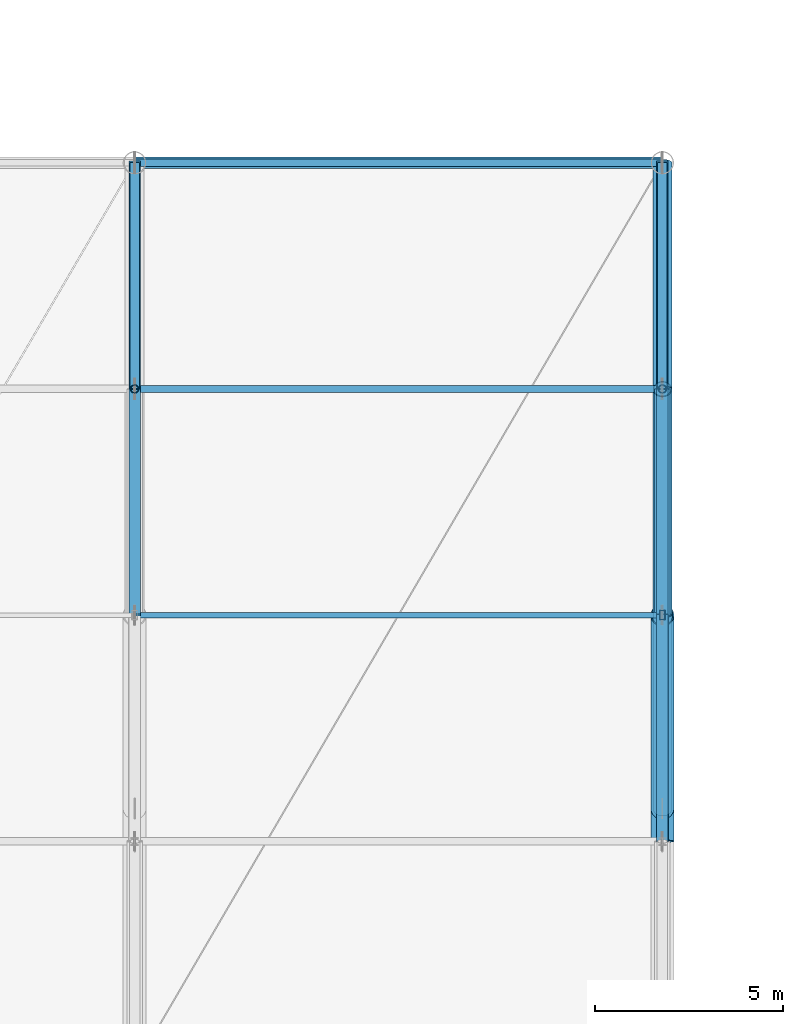
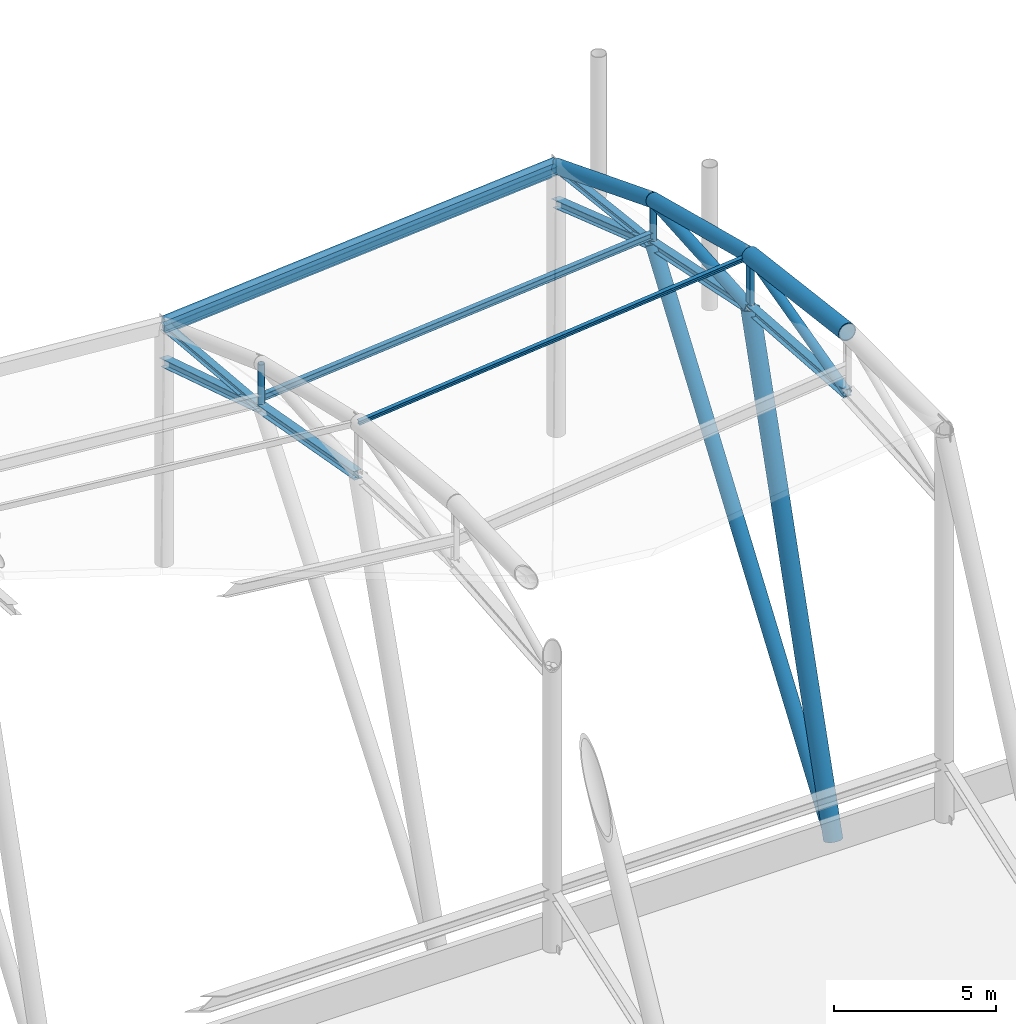
# One storey, part 24 of 90: 20 members, 1 beam.
"""IFC4 building model written with IfcOpenShell, lengths in metres."""

from ifc_helpers import new_model, si_unit, direction, frame, origin, origin_2d, place, context, subcontext, project, spatial, hollow_rectangle, hollow_circle, i_section, extrude, material, material_profile, profile_set, type_object, element, save


model = new_model("IFC4")

# Units and contexts
model_context = context("Model", 3, precision=1e-05, world=origin(), true_north=direction((0.0, 1.0)))
body_context = subcontext(model_context, "Body", "Model", "MODEL_VIEW")
ifc_project = project(units=[si_unit("LENGTHUNIT", "METRE"), si_unit("AREAUNIT", "SQUARE_METRE"), si_unit("VOLUMEUNIT", "CUBIC_METRE"), si_unit("PLANEANGLEUNIT", "RADIAN"), si_unit("MASSUNIT", "GRAM", prefix="KILO")], contexts=[model_context])

# Site, building, storey
site_placement = place(None, origin())
site = spatial("IfcSite", under=ifc_project, at=site_placement, CompositionType="ELEMENT")
building_placement = place(site_placement, origin())
building = spatial("IfcBuilding", under=site, at=building_placement, Name="Linyun Crest Stadium", CompositionType="ELEMENT")
storey_placement = place(building_placement, frame((0.0, 0.0, 21.0)))
storey = spatial("IfcBuildingStorey", under=building, at=storey_placement, Name="L05", CompositionType="ELEMENT", Elevation=21.0)

# Member
ifc_material_1 = material(Name="Steel Q355C", Category="steel")
ifc_material_profile_1 = material_profile(ifc_material_1, i_section(OverallWidth=0.14990234375, OverallDepth=0.14990234375, WebThickness=0.007080078125, FlangeThickness=0.010009765625, at=origin_2d()), Name="HW 150x150")
ifc_profile_set_1 = profile_set([ifc_material_profile_1], Name="Steel Q355C")
member_type_1 = type_object("IfcMemberType", Name="AR01", PredefinedType="USERDEFINED", material=ifc_profile_set_1)
member_1_placement = place(storey_placement, frame((14.0, -61.5, 12.549072265625), z_axis=(0.995024124811, 0.0, 0.099634286493), x_axis=(0.0, 1.0, 0.0)))
element("IfcMember", 1, at=member_1_placement, inside=storey, type_object=member_type_1, Name="Art Nouveau canopy arch rib AR01 V4 582", ObjectType="ARCH RIB", PredefinedType="USERDEFINED", context=body_context, shape_type="SweptSolid", body=[
    extrude(i_section(OverallWidth=0.14990234375, OverallDepth=0.14990234375, WebThickness=0.007080078125, FlangeThickness=0.010009765625, at=origin_2d()), origin(), (0.0, 0.0, 1.0), 14.070068359375),
])

# Beam
ifc_material_2 = material(Name="Steel Q420C", Category="steel")
ifc_material_profile_2 = material_profile(ifc_material_2, hollow_rectangle(XDim=0.300048828125, YDim=0.5, WallThickness=0.02001953125, at=origin_2d()), Name="RHS 500x300x20")
ifc_profile_set_2 = profile_set([ifc_material_profile_2], Name="Steel Q420C")
beam_type = type_object("IfcBeamType", Name="HB03", PredefinedType="USERDEFINED", material=ifc_profile_set_2)
beam_placement = place(storey_placement, frame((14.0, -49.5, 8.947998046875), z_axis=(0.996905179889, 0.0, 0.07861337234), x_axis=(0.0, 1.0, 0.0)))
element("IfcBeam", 2, at=beam_placement, inside=storey, type_object=beam_type, Name="Roof Inner tension ring beam HB03 V4 43", ObjectType="RING BEAM", PredefinedType="USERDEFINED", context=body_context, shape_type="SweptSolid", body=[
    extrude(hollow_rectangle(XDim=0.300048828125, YDim=0.5, WallThickness=0.02001953125, at=origin_2d()), origin(), (0.0, 0.0, 1.0), 14.04345703125),
])

# Members
ifc_material_3 = material(Name="Steel Q355B", Category="steel")
ifc_material_profile_3 = material_profile(ifc_material_3, i_section(OverallWidth=0.175048828125, OverallDepth=0.243896484375, WebThickness=0.007080078125, FlangeThickness=0.010986328125, at=origin_2d()), Name="HM 244x175")
ifc_profile_set_3 = profile_set([ifc_material_profile_3], Name="Steel Q355B")
member_type_2 = type_object("IfcMemberType", Name="PR05", PredefinedType="PURLIN", material=ifc_profile_set_3)
member_2_placement = place(storey_placement, frame((14.0, -55.5, 9.866943359375), z_axis=(0.996025387251, 0.0, 0.089069792582), x_axis=(0.0, 1.0, 0.0)))
element("IfcMember", 3, at=member_2_placement, inside=storey, type_object=member_type_2, Name="Roof canopy purlin PR05 V4 580", PredefinedType="PURLIN", context=body_context, shape_type="SweptSolid", body=[
    extrude(i_section(OverallWidth=0.175048828125, OverallDepth=0.243896484375, WebThickness=0.007080078125, FlangeThickness=0.010986328125, at=origin_2d()), origin(), (0.0, 0.0, 1.0), 14.055908203125),
])
ifc_material_4 = material(Name="Steel Q355B", Category="steel")
ifc_material_profile_4 = material_profile(ifc_material_4, i_section(OverallWidth=0.199951171875, OverallDepth=0.2939453125, WebThickness=0.008056640625, FlangeThickness=0.011962890625, at=origin_2d()), Name="HM 294x200")
ifc_profile_set_4 = profile_set([ifc_material_profile_4], Name="Steel Q355B")
member_type_3 = type_object("IfcMemberType", Name="PR06", PredefinedType="PURLIN", material=ifc_profile_set_4)
member_3_placement = place(storey_placement, frame((14.0, -49.5, 8.841064453125), z_axis=(0.996905179889, 0.0, 0.07861337234), x_axis=(0.0, 1.0, 0.0)))
element("IfcMember", 4, at=member_3_placement, inside=storey, type_object=member_type_3, Name="Roof canopy purlin PR06 V4 581", PredefinedType="PURLIN", context=body_context, shape_type="SweptSolid", body=[
    extrude(i_section(OverallWidth=0.199951171875, OverallDepth=0.2939453125, WebThickness=0.008056640625, FlangeThickness=0.011962890625, at=origin_2d()), origin(), (0.0, 0.0, 1.0), 14.04345703125),
])
ifc_material_5 = material(Name="Steel Q420C", Category="steel")
ifc_material_profile_5 = material_profile(ifc_material_5, hollow_circle(Radius=0.25390625, WallThickness=0.02490234375, at=origin_2d()), Name="CHS 508x25")
ifc_profile_set_5 = profile_set([ifc_material_profile_5], Name="Steel Q420C")
member_type_4 = type_object("IfcMemberType", Name="TC01", PredefinedType="CHORD", material=ifc_profile_set_5)
member_4_placement = place(storey_placement, frame((28.0, -61.5, 13.950927734375), z_axis=(0.0, 0.968260101337, -0.249944746211), x_axis=(-1.0, 0.0, 0.0)))
element("IfcMember", 5, at=member_4_placement, inside=storey, type_object=member_type_4, Name="Roof truss top chord TC01 V4 557", PredefinedType="CHORD", context=body_context, shape_type="SweptSolid", body=[
    extrude(hollow_circle(Radius=0.25390625, WallThickness=0.02490234375, at=origin_2d()), origin(), (0.0, 0.0, 1.0), 6.19677734375),
])
member_5_placement = place(storey_placement, frame((28.0, -55.5, 12.402099609375), z_axis=(0.0, 0.931123104416, -0.364705037561), x_axis=(-1.0, 0.0, 0.0)))
element("IfcMember", 6, at=member_5_placement, inside=storey, type_object=member_type_4, Name="Roof truss top chord TC01 V4 561", PredefinedType="CHORD", context=body_context, shape_type="SweptSolid", body=[
    extrude(hollow_circle(Radius=0.25390625, WallThickness=0.02490234375, at=origin_2d()), origin(), (0.0, 0.0, 1.0), 6.44384765625),
])
member_6_placement = place(storey_placement, frame((28.0, -66.625, -4.97998046875), z_axis=(0.0, 0.577720061016, 0.81623497297), x_axis=(-1.0, 0.0, 0.0)))
element("IfcMember", 7, at=member_6_placement, inside=storey, type_object=member_type_4, Name="Roof arch forward V-strut TC01 V4 566", PredefinedType="CHORD", context=body_context, shape_type="SweptSolid", body=[
    extrude(hollow_circle(Radius=0.25390625, WallThickness=0.02490234375, at=origin_2d()), origin(), (0.0, 0.0, 1.0), 19.2568359375),
])
ifc_material_6 = material(Name="Steel Q420C", Category="steel")
ifc_material_profile_6 = material_profile(ifc_material_6, hollow_circle(Radius=0.304931640625, WallThickness=0.030029296875, at=origin_2d()), Name="CHS 610x30")
ifc_profile_set_6 = profile_set([ifc_material_profile_6], Name="Steel Q420C")
member_type_5 = type_object("IfcMemberType", Name="TC02", PredefinedType="CHORD", material=ifc_profile_set_6)
member_7_placement = place(storey_placement, frame((28.0, -67.5, 14.700927734375), z_axis=(0.0, 0.992277876714, -0.124034734589), x_axis=(-1.0, 0.0, 0.0)))
element("IfcMember", 8, at=member_7_placement, inside=storey, type_object=member_type_5, Name="Roof truss top chord TC02 V4 553", PredefinedType="CHORD", context=body_context, shape_type="SweptSolid", body=[
    extrude(hollow_circle(Radius=0.304931640625, WallThickness=0.030029296875, at=origin_2d()), origin(), (0.0, 0.0, 1.0), 6.046630859375),
])
member_8_placement = place(storey_placement, frame((28.0, -66.625, -4.97998046875), z_axis=(0.0, 0.289340159491, 0.957226343195), x_axis=(-1.0, 0.0, 0.0)))
element("IfcMember", 9, at=member_8_placement, inside=storey, type_object=member_type_5, Name="Roof arch inclined support strut TC02 V4 565", PredefinedType="CHORD", context=body_context, shape_type="SweptSolid", body=[
    extrude(hollow_circle(Radius=0.304931640625, WallThickness=0.030029296875, at=origin_2d()), origin(), (0.0, 0.0, 1.0), 17.712646484375),
])
ifc_material_7 = material(Name="Steel Q355C", Category="steel")
ifc_material_profile_7 = material_profile(ifc_material_7, i_section(OverallWidth=0.300048828125, OverallDepth=0.300048828125, WebThickness=0.010009765625, FlangeThickness=0.014892578125, at=origin_2d()), Name="HW 300x300")
ifc_profile_set_7 = profile_set([ifc_material_profile_7], Name="Steel Q355C")
member_type_6 = type_object("IfcMemberType", Name="TC03", PredefinedType="CHORD", material=ifc_profile_set_7)
member_9_placement = place(storey_placement, frame((14.0, -61.5, 10.572998046875), z_axis=(0.0, 0.983956914603, -0.178406250467), x_axis=(-1.0, 0.0, 0.0)))
element("IfcMember", 10, at=member_9_placement, inside=storey, type_object=member_type_6, Name="Roof truss bottom chord TC03 V4 539", PredefinedType="CHORD", context=body_context, shape_type="SweptSolid", body=[
    extrude(i_section(OverallWidth=0.300048828125, OverallDepth=0.300048828125, WebThickness=0.010009765625, FlangeThickness=0.014892578125, at=origin_2d()), origin(), (0.0, 0.0, 1.0), 6.097900390625),
])
member_10_placement = place(storey_placement, frame((14.0, -55.5, 9.485107421875), z_axis=(0.0, 0.953836897996, -0.300325110542), x_axis=(-1.0, 0.0, 0.0)))
element("IfcMember", 11, at=member_10_placement, inside=storey, type_object=member_type_6, Name="Roof truss bottom chord TC03 V4 543", PredefinedType="CHORD", context=body_context, shape_type="SweptSolid", body=[
    extrude(i_section(OverallWidth=0.300048828125, OverallDepth=0.300048828125, WebThickness=0.010009765625, FlangeThickness=0.014892578125, at=origin_2d()), origin(), (0.0, 0.0, 1.0), 6.290283203125),
])
member_11_placement = place(storey_placement, frame((28.0, -67.5, 12.4130859375), z_axis=(0.0, 0.997346243712, -0.072804327849), x_axis=(-1.0, 0.0, 0.0)))
element("IfcMember", 12, at=member_11_placement, inside=storey, type_object=member_type_6, Name="Roof truss bottom chord TC03 V4 554", PredefinedType="CHORD", context=body_context, shape_type="SweptSolid", body=[
    extrude(i_section(OverallWidth=0.300048828125, OverallDepth=0.300048828125, WebThickness=0.010009765625, FlangeThickness=0.014892578125, at=origin_2d()), origin(), (0.0, 0.0, 1.0), 6.015869140625),
])
member_12_placement = place(storey_placement, frame((28.0, -61.5, 11.97509765625), z_axis=(0.0, 0.979400054026, -0.201929527741), x_axis=(-1.0, 0.0, 0.0)))
element("IfcMember", 13, at=member_12_placement, inside=storey, type_object=member_type_6, Name="Roof truss bottom chord TC03 V4 558", PredefinedType="CHORD", context=body_context, shape_type="SweptSolid", body=[
    extrude(i_section(OverallWidth=0.300048828125, OverallDepth=0.300048828125, WebThickness=0.010009765625, FlangeThickness=0.014892578125, at=origin_2d()), origin(), (0.0, 0.0, 1.0), 6.126220703125),
])
member_13_placement = place(storey_placement, frame((28.0, -55.5, 10.738037109375), z_axis=(0.0, 0.946864764463, -0.321631960194), x_axis=(-1.0, 0.0, 0.0)))
element("IfcMember", 14, at=member_13_placement, inside=storey, type_object=member_type_6, Name="Roof truss bottom chord TC03 V4 562", PredefinedType="CHORD", context=body_context, shape_type="SweptSolid", body=[
    extrude(i_section(OverallWidth=0.300048828125, OverallDepth=0.300048828125, WebThickness=0.010009765625, FlangeThickness=0.014892578125, at=origin_2d()), origin(), (0.0, 0.0, 1.0), 6.336669921875),
])
ifc_material_8 = material(Name="Steel Q355C", Category="steel")
ifc_material_profile_8 = material_profile(ifc_material_8, hollow_circle(Radius=0.16259765625, WallThickness=0.01611328125, at=origin_2d()), Name="CHS 325x16")
ifc_profile_set_8 = profile_set([ifc_material_profile_8], Name="Steel Q355C")
member_type_7 = type_object("IfcMemberType", Name="TD02", PredefinedType="BRACE", material=ifc_profile_set_8)
member_14_placement = place(storey_placement, frame((28.0, -67.5, 12.4130859375), z_axis=(0.0, 0.968687934198, 0.248281465556), x_axis=(-1.0, 0.0, 0.0)))
element("IfcMember", 15, at=member_14_placement, inside=storey, type_object=member_type_7, Name="Roof truss diagonal TD02 V4 555", PredefinedType="BRACE", context=body_context, shape_type="SweptSolid", body=[
    extrude(hollow_circle(Radius=0.16259765625, WallThickness=0.01611328125, at=origin_2d()), origin(), (0.0, 0.0, 1.0), 6.19384765625),
])
ifc_material_9 = material(Name="Steel Q420C", Category="steel")
ifc_material_profile_9 = material_profile(ifc_material_9, hollow_circle(Radius=0.202880859375, WallThickness=0.02001953125, at=origin_2d()), Name="CHS 406x20")
ifc_profile_set_9 = profile_set([ifc_material_profile_9], Name="Steel Q420C")
member_type_8 = type_object("IfcMemberType", Name="TD03", PredefinedType="BRACE", material=ifc_profile_set_9)
member_15_placement = place(storey_placement, frame((28.0, -61.5, 11.97509765625), z_axis=(0.0, 0.997477208541, 0.070987452707), x_axis=(-1.0, 0.0, 0.0)))
element("IfcMember", 16, at=member_15_placement, inside=storey, type_object=member_type_8, Name="Roof truss diagonal TD03 V4 559", PredefinedType="BRACE", context=body_context, shape_type="SweptSolid", body=[
    extrude(hollow_circle(Radius=0.202880859375, WallThickness=0.02001953125, at=origin_2d()), origin(), (0.0, 0.0, 1.0), 6.01513671875),
])
ifc_material_10 = material(Name="Steel Q355C", Category="steel")
ifc_material_profile_10 = material_profile(ifc_material_10, i_section(OverallWidth=0.25, OverallDepth=0.25, WebThickness=0.009033203125, FlangeThickness=0.013916015625, at=origin_2d()), Name="HW 250x250")
ifc_profile_set_10 = profile_set([ifc_material_profile_10], Name="Steel Q355C")
member_type_9 = type_object("IfcMemberType", Name="TD04", PredefinedType="BRACE", material=ifc_profile_set_10)
member_16_placement = place(storey_placement, frame((14.0, -55.5, 9.485107421875), z_axis=(0.0, 0.996017164779, -0.089161692811), x_axis=(-1.0, 0.0, 0.0)))
element("IfcMember", 17, at=member_16_placement, inside=storey, type_object=member_type_9, Name="Roof truss diagonal TD04 V4 544", PredefinedType="BRACE", context=body_context, shape_type="SweptSolid", body=[
    extrude(i_section(OverallWidth=0.25, OverallDepth=0.25, WebThickness=0.009033203125, FlangeThickness=0.013916015625, at=origin_2d()), origin(), (0.0, 0.0, 1.0), 6.02392578125),
])
member_17_placement = place(storey_placement, frame((28.0, -55.5, 10.738037109375), z_axis=(0.0, 0.993526677305, -0.113599038217), x_axis=(-1.0, 0.0, 0.0)))
element("IfcMember", 18, at=member_17_placement, inside=storey, type_object=member_type_9, Name="Roof truss diagonal TD04 V4 563", PredefinedType="BRACE", context=body_context, shape_type="SweptSolid", body=[
    extrude(i_section(OverallWidth=0.25, OverallDepth=0.25, WebThickness=0.009033203125, FlangeThickness=0.013916015625, at=origin_2d()), origin(), (0.0, 0.0, 1.0), 6.0390625),
])
ifc_material_11 = material(Name="Steel Q355C", Category="steel")
ifc_material_profile_11 = material_profile(ifc_material_11, hollow_circle(Radius=0.109619140625, WallThickness=0.011962890625, at=origin_2d()), Name="CHS 219x12")
ifc_profile_set_11 = profile_set([ifc_material_profile_11], Name="Steel Q355C")
member_type_10 = type_object("IfcMemberType", Name="TV01", PredefinedType="STRUT", material=ifc_profile_set_11)
member_18_placement = place(storey_placement, frame((14.0, -55.5, 9.485107421875), z_axis=(0.0, 0.0, 1.0), x_axis=(1.0, 0.0, 0.0)))
element("IfcMember", 19, at=member_18_placement, inside=storey, type_object=member_type_10, Name="Roof vertical strut TV01 V4 545", PredefinedType="STRUT", context=body_context, shape_type="SweptSolid", body=[
    extrude(hollow_circle(Radius=0.109619140625, WallThickness=0.011962890625, at=origin_2d()), origin(), (0.0, 0.0, 1.0), 1.663818359375),
])
member_19_placement = place(storey_placement, frame((28.0, -55.5, 10.738037109375), z_axis=(0.0, 0.0, 1.0), x_axis=(1.0, 0.0, 0.0)))
element("IfcMember", 20, at=member_19_placement, inside=storey, type_object=member_type_10, Name="Roof vertical strut TV01 V4 564", PredefinedType="STRUT", context=body_context, shape_type="SweptSolid", body=[
    extrude(hollow_circle(Radius=0.109619140625, WallThickness=0.011962890625, at=origin_2d()), origin(), (0.0, 0.0, 1.0), 1.6640625),
])
ifc_material_12 = material(Name="Steel Q355C", Category="steel")
ifc_material_profile_12 = material_profile(ifc_material_12, hollow_rectangle(XDim=0.14990234375, YDim=0.25, WallThickness=0.010009765625, at=origin_2d()), Name="RHS 250x150x10")
ifc_profile_set_12 = profile_set([ifc_material_profile_12], Name="Steel Q355C")
member_type_11 = type_object("IfcMemberType", Name="TV03", PredefinedType="STRUT", material=ifc_profile_set_12)
member_20_placement = place(storey_placement, frame((28.0, -61.5, 11.97509765625), z_axis=(0.0, 0.0, 1.0), x_axis=(1.0, 0.0, 0.0)))
element("IfcMember", 21, at=member_20_placement, inside=storey, type_object=member_type_11, Name="Roof vertical strut TV03 V4 560", PredefinedType="STRUT", context=body_context, shape_type="SweptSolid", body=[
    extrude(hollow_rectangle(XDim=0.14990234375, YDim=0.25, WallThickness=0.010009765625, at=origin_2d()), origin(), (0.0, 0.0, 1.0), 1.975830078125),
])

save(model, "model.ifc")
